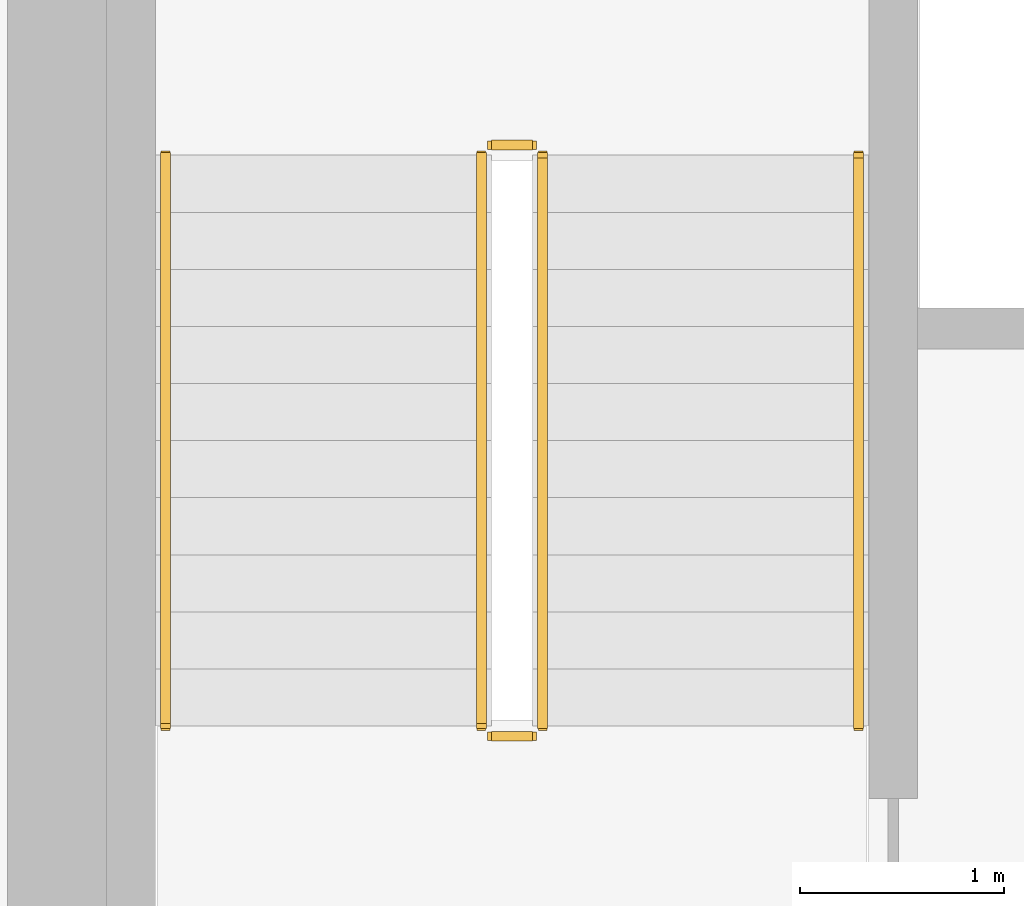
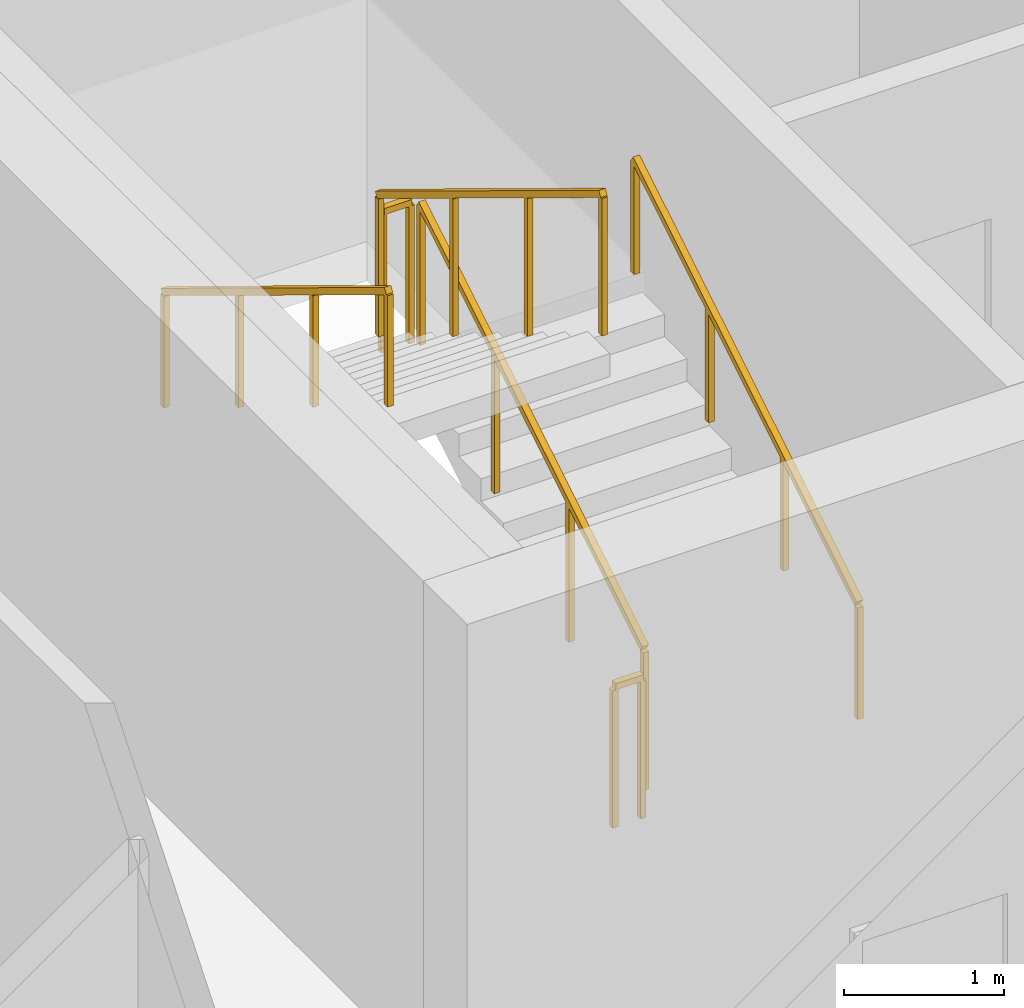
# One storey, part 28 of 33: 6 railings.
"""IFC4 building model written with IfcOpenShell, lengths in metres."""

from ifc_helpers import new_model, si_unit, direction, frame, origin, origin_2d, place, context, subcontext, project, spatial, rectangle, extrude, material, type_object, element, save


model = new_model("IFC4")

# Units and contexts
model_context = context("Model", 3, precision=1e-05, world=origin(), true_north=direction((0.0, 1.0)))
body_context = subcontext(model_context, "Body", "Model", "MODEL_VIEW")
ifc_project = project(units=[si_unit("LENGTHUNIT", "METRE"), si_unit("AREAUNIT", "SQUARE_METRE"), si_unit("VOLUMEUNIT", "CUBIC_METRE"), si_unit("PLANEANGLEUNIT", "RADIAN"), si_unit("MASSUNIT", "GRAM", prefix="KILO")], contexts=[model_context])

# Site, building, storey
site_placement = place(None, origin())
site = spatial("IfcSite", under=ifc_project, at=site_placement, CompositionType="ELEMENT")
building_placement = place(site_placement, origin())
building = spatial("IfcBuilding", under=site, at=building_placement, Name="Haldenkirk Collegiate Tower", CompositionType="ELEMENT")
storey_placement = place(building_placement, frame((0.0, 0.0, 127.949951171875)))
storey = spatial("IfcBuildingStorey", under=building, at=storey_placement, Name="L31", CompositionType="ELEMENT", Elevation=127.949951171875)

# Railings
ifc_material = material(Name="Painted architectural tubular steel", Category="steel")
railing_type_1 = type_object("IfcRailingType", Name="RLG-STAIR-GUARD-1100", PredefinedType="BALUSTRADE", material=ifc_material)
railing_1_placement = place(storey_placement, frame((29.35009765625, 20.050048828125, 0.17041015625)))
element("IfcRailing", 1, at=railing_1_placement, inside=storey, type_object=railing_type_1, Name="L31 ST-1 stair guard 1", PredefinedType="BALUSTRADE", context=body_context, shape_type="SweptSolid", body=[
    extrude(rectangle(XDim=0.048095703125, YDim=0.048095703125, at=origin_2d()), frame((0.0, 0.0, 1.076171875), z_axis=(0.0, 0.854169791009, 0.51999420009), x_axis=(-1.0, 0.0, 0.0)), (0.0, 0.0, 1.0), 3.278076171875),
    extrude(rectangle(XDim=0.0419921875, YDim=0.0419921875, at=origin_2d()), origin(), (0.0, 0.0, 1.0), 1.052001953125),
    extrude(rectangle(XDim=0.0419921875, YDim=0.0419921875, at=origin_2d()), frame((0.0, 0.933349609375, 0.568115234375)), (0.0, 0.0, 1.0), 1.052001953125),
    extrude(rectangle(XDim=0.0419921875, YDim=0.0419921875, at=origin_2d()), frame((0.0, 1.86669921875, 1.136474609375)), (0.0, 0.0, 1.0), 1.052001953125),
    extrude(rectangle(XDim=0.0419921875, YDim=0.0419921875, at=origin_2d()), frame((0.0, 2.800048828125, 1.70458984375)), (0.0, 0.0, 1.0), 1.052001953125),
])
railing_2_placement = place(storey_placement, frame((29.300048828125, 22.89990234375, 1.875)))
element("IfcRailing", 2, at=railing_2_placement, inside=storey, type_object=railing_type_1, Name="L31 ST-1 stair guard 2", PredefinedType="BALUSTRADE", context=body_context, shape_type="SweptSolid", body=[
    extrude(rectangle(XDim=0.048095703125, YDim=0.048095703125, at=origin_2d()), frame((0.0, 0.0, 1.076171875), z_axis=(-1.0, 0.0, 0.0), x_axis=(0.0, -1.0, 0.0)), (0.0, 0.0, 1.0), 0.199951171875),
    extrude(rectangle(XDim=0.0419921875, YDim=0.0419921875, at=origin_2d()), origin(), (0.0, 0.0, 1.0), 1.052001953125),
    extrude(rectangle(XDim=0.0419921875, YDim=0.0419921875, at=origin_2d()), frame((-0.199951171875, 0.0, 0.0)), (0.0, 0.0, 1.0), 1.052001953125),
])
railing_3_placement = place(storey_placement, frame((29.050048828125, 22.85009765625, 2.04541015625)))
element("IfcRailing", 3, at=railing_3_placement, inside=storey, type_object=railing_type_1, Name="L31 ST-1 stair guard 3", PredefinedType="BALUSTRADE", context=body_context, shape_type="SweptSolid", body=[
    extrude(rectangle(XDim=0.048095703125, YDim=0.048095703125, at=origin_2d()), frame((0.0, 0.0, 1.076171875), z_axis=(0.0, -0.854169791009, 0.51999420009), x_axis=(1.0, 0.0, 0.0)), (0.0, 0.0, 1.0), 3.278076171875),
    extrude(rectangle(XDim=0.0419921875, YDim=0.0419921875, at=origin_2d()), origin(), (0.0, 0.0, 1.0), 1.052001953125),
    extrude(rectangle(XDim=0.0419921875, YDim=0.0419921875, at=origin_2d()), frame((0.0, -0.933349609375, 0.568115234375)), (0.0, 0.0, 1.0), 1.052001953125),
    extrude(rectangle(XDim=0.0419921875, YDim=0.0419921875, at=origin_2d()), frame((0.0, -1.86669921875, 1.136474609375)), (0.0, 0.0, 1.0), 1.052001953125),
    extrude(rectangle(XDim=0.0419921875, YDim=0.0419921875, at=origin_2d()), frame((0.0, -2.800048828125, 1.70458984375)), (0.0, 0.0, 1.0), 1.052001953125),
])
railing_4_placement = place(storey_placement, frame((29.300048828125, 20.0, 0.0)))
element("IfcRailing", 4, at=railing_4_placement, inside=storey, type_object=railing_type_1, Name="L31 ST-1 stair guard 4", PredefinedType="BALUSTRADE", context=body_context, shape_type="SweptSolid", body=[
    extrude(rectangle(XDim=0.048095703125, YDim=0.048095703125, at=origin_2d()), frame((0.0, 0.0, 1.076171875), z_axis=(-1.0, 0.0, 0.0), x_axis=(0.0, -1.0, 0.0)), (0.0, 0.0, 1.0), 0.199951171875),
    extrude(rectangle(XDim=0.0419921875, YDim=0.0419921875, at=origin_2d()), origin(), (0.0, 0.0, 1.0), 1.052001953125),
    extrude(rectangle(XDim=0.0419921875, YDim=0.0419921875, at=origin_2d()), frame((-0.199951171875, 0.0, 0.0)), (0.0, 0.0, 1.0), 1.052001953125),
])
railing_type_2 = type_object("IfcRailingType", Name="RLG-STAIR-HANDRAIL-900", PredefinedType="HANDRAIL", material=ifc_material)
railing_5_placement = place(storey_placement, frame((30.89990234375, 20.050048828125, 0.17041015625)))
element("IfcRailing", 5, at=railing_5_placement, inside=storey, type_object=railing_type_2, Name="L31 ST-1 stair handrail 1", PredefinedType="HANDRAIL", context=body_context, shape_type="SweptSolid", body=[
    extrude(rectangle(XDim=0.048095703125, YDim=0.048095703125, at=origin_2d()), frame((0.0, 0.0, 0.8759765625), z_axis=(0.0, 0.854169791009, 0.51999420009), x_axis=(-1.0, 0.0, 0.0)), (0.0, 0.0, 1.0), 3.278076171875),
    extrude(rectangle(XDim=0.0419921875, YDim=0.0419921875, at=origin_2d()), origin(), (0.0, 0.0, 1.0), 0.851806640625),
    extrude(rectangle(XDim=0.0419921875, YDim=0.0419921875, at=origin_2d()), frame((0.0, 0.933349609375, 0.568115234375)), (0.0, 0.0, 1.0), 0.851806640625),
    extrude(rectangle(XDim=0.0419921875, YDim=0.0419921875, at=origin_2d()), frame((0.0, 1.86669921875, 1.136474609375)), (0.0, 0.0, 1.0), 0.851806640625),
    extrude(rectangle(XDim=0.0419921875, YDim=0.0419921875, at=origin_2d()), frame((0.0, 2.800048828125, 1.70458984375)), (0.0, 0.0, 1.0), 0.851806640625),
])
railing_6_placement = place(storey_placement, frame((27.5, 22.85009765625, 2.04541015625)))
element("IfcRailing", 6, at=railing_6_placement, inside=storey, type_object=railing_type_2, Name="L31 ST-1 stair handrail 2", PredefinedType="HANDRAIL", context=body_context, shape_type="SweptSolid", body=[
    extrude(rectangle(XDim=0.048095703125, YDim=0.048095703125, at=origin_2d()), frame((0.0, 0.0, 0.8759765625), z_axis=(0.0, -0.854169791009, 0.51999420009), x_axis=(1.0, 0.0, 0.0)), (0.0, 0.0, 1.0), 3.278076171875),
    extrude(rectangle(XDim=0.0419921875, YDim=0.0419921875, at=origin_2d()), origin(), (0.0, 0.0, 1.0), 0.851806640625),
    extrude(rectangle(XDim=0.0419921875, YDim=0.0419921875, at=origin_2d()), frame((0.0, -0.933349609375, 0.568115234375)), (0.0, 0.0, 1.0), 0.851806640625),
    extrude(rectangle(XDim=0.0419921875, YDim=0.0419921875, at=origin_2d()), frame((0.0, -1.86669921875, 1.136474609375)), (0.0, 0.0, 1.0), 0.851806640625),
    extrude(rectangle(XDim=0.0419921875, YDim=0.0419921875, at=origin_2d()), frame((0.0, -2.800048828125, 1.70458984375)), (0.0, 0.0, 1.0), 0.851806640625),
])

save(model, "model.ifc")
